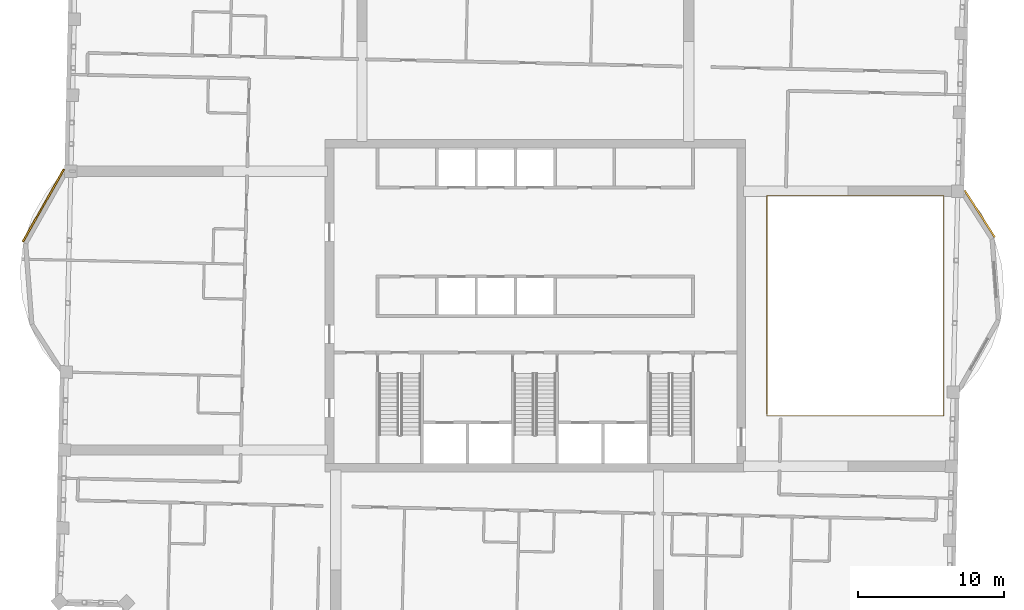
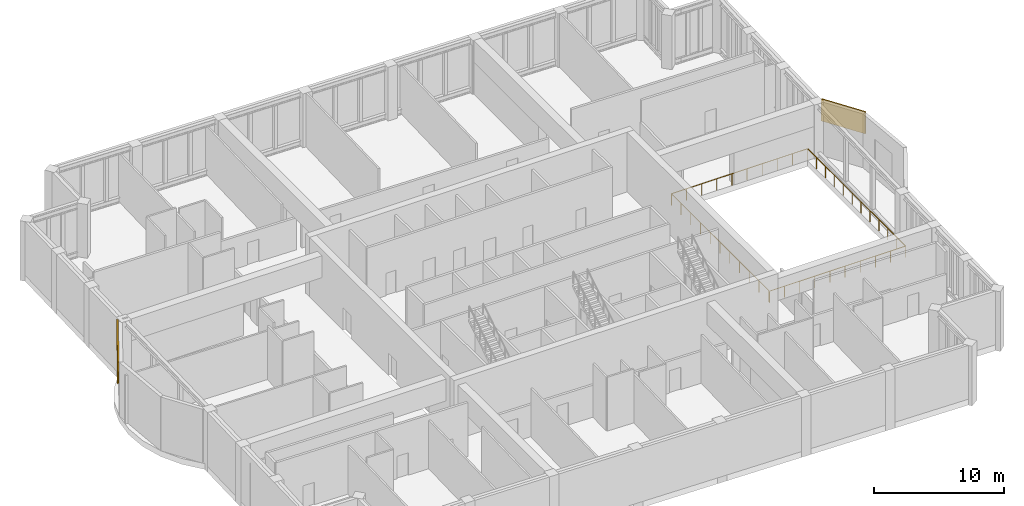
# One storey, part 16 of 16: 2 coverings, 1 railing.
"""IFC4 building model written with IfcOpenShell, lengths in metres."""

from ifc_helpers import new_model, si_unit, direction, frame, frame_2d, origin, origin_2d, place, context, subcontext, project, spatial, rectangle, extrude, material, layer, layer_set, type_object, element, save


model = new_model("IFC4")

# Units and contexts
model_context = context("Model", 3, precision=1e-05, world=origin(), true_north=direction((0.0, 1.0)))
body_context = subcontext(model_context, "Body", "Model", "MODEL_VIEW")
ifc_project = project(units=[si_unit("LENGTHUNIT", "METRE"), si_unit("AREAUNIT", "SQUARE_METRE"), si_unit("VOLUMEUNIT", "CUBIC_METRE"), si_unit("PLANEANGLEUNIT", "RADIAN"), si_unit("MASSUNIT", "GRAM", prefix="KILO")], contexts=[model_context])

# Site, building, storey
site_placement = place(None, origin())
site = spatial("IfcSite", under=ifc_project, at=site_placement, CompositionType="ELEMENT")
building_placement = place(site_placement, origin())
building = spatial("IfcBuilding", under=site, at=building_placement, Name="Mangrove Gate Tower", CompositionType="ELEMENT")
storey_placement = place(building_placement, frame((0.0, 0.0, 324.10009765625)))
storey = spatial("IfcBuildingStorey", under=building, at=storey_placement, Name="L83", CompositionType="ELEMENT", Elevation=324.10009765625)

# Railing
ifc_material_1 = material(Name="Stainless steel grade 316 with laminated glass infill", Category="steel")
railing_type = type_object("IfcRailingType", Name="Balcony guard 1100", PredefinedType="GUARDRAIL", material=ifc_material_1)
railing_placement = place(storey_placement, frame((15.860107421875, -7.5400390625, 0.0)))
element("IfcRailing", 1, at=railing_placement, inside=storey, type_object=railing_type, Name="GUARD L83 atrium", PredefinedType="GUARDRAIL", context=body_context, shape_type="SweptSolid", body=[
    extrude(rectangle(XDim=0.048095703125, YDim=0.048095703125, at=origin_2d()), frame((0.0, 0.0, 1.076171875), z_axis=(1.0, 0.0, 0.0), x_axis=(0.0, 1.0, 0.0)), (0.0, 0.0, 1.0), 12.101806640625),
    extrude(rectangle(XDim=0.048095703125, YDim=0.048095703125, at=origin_2d()), frame((12.101806640625, 0.0, 1.076171875), z_axis=(0.0, 1.0, 0.0), x_axis=(-1.0, 0.0, 0.0)), (0.0, 0.0, 1.0), 15.080078125),
    extrude(rectangle(XDim=0.048095703125, YDim=0.048095703125, at=origin_2d()), frame((12.101806640625, 15.080078125, 1.076171875), z_axis=(-1.0, 0.0, 0.0), x_axis=(0.0, -1.0, 0.0)), (0.0, 0.0, 1.0), 12.101806640625),
    extrude(rectangle(XDim=0.048095703125, YDim=0.048095703125, at=origin_2d()), frame((0.0, 15.080078125, 1.076171875), z_axis=(0.0, -1.0, 0.0), x_axis=(1.0, 0.0, 0.0)), (0.0, 0.0, 1.0), 14.9599609375),
    extrude(rectangle(XDim=0.0419921875, YDim=0.0419921875, at=origin_2d()), origin(), (0.0, 0.0, 1.0), 1.052001953125),
    extrude(rectangle(XDim=0.0419921875, YDim=0.0419921875, at=origin_2d()), frame((1.3447265625, 0.0, 0.0)), (0.0, 0.0, 1.0), 1.052001953125),
    extrude(rectangle(XDim=0.0419921875, YDim=0.0419921875, at=origin_2d()), frame((2.689208984375, 0.0, 0.0)), (0.0, 0.0, 1.0), 1.052001953125),
    extrude(rectangle(XDim=0.0419921875, YDim=0.0419921875, at=origin_2d()), frame((4.033935546875, 0.0, 0.0)), (0.0, 0.0, 1.0), 1.052001953125),
    extrude(rectangle(XDim=0.0419921875, YDim=0.0419921875, at=origin_2d()), frame((5.378662109375, 0.0, 0.0)), (0.0, 0.0, 1.0), 1.052001953125),
    extrude(rectangle(XDim=0.0419921875, YDim=0.0419921875, at=origin_2d()), frame((6.72314453125, 0.0, 0.0)), (0.0, 0.0, 1.0), 1.052001953125),
    extrude(rectangle(XDim=0.0419921875, YDim=0.0419921875, at=origin_2d()), frame((8.06787109375, 0.0, 0.0)), (0.0, 0.0, 1.0), 1.052001953125),
    extrude(rectangle(XDim=0.0419921875, YDim=0.0419921875, at=origin_2d()), frame((9.41259765625, 0.0, 0.0)), (0.0, 0.0, 1.0), 1.052001953125),
    extrude(rectangle(XDim=0.0419921875, YDim=0.0419921875, at=origin_2d()), frame((10.757080078125, 0.0, 0.0)), (0.0, 0.0, 1.0), 1.052001953125),
    extrude(rectangle(XDim=0.0419921875, YDim=0.0419921875, at=origin_2d()), frame((12.101806640625, 0.0, 0.0)), (0.0, 0.0, 1.0), 1.052001953125),
    extrude(rectangle(XDim=0.0419921875, YDim=0.0419921875, at=origin_2d()), frame((12.101806640625, 1.370849609375, 0.0)), (0.0, 0.0, 1.0), 1.052001953125),
    extrude(rectangle(XDim=0.0419921875, YDim=0.0419921875, at=origin_2d()), frame((12.101806640625, 2.741943359375, 0.0)), (0.0, 0.0, 1.0), 1.052001953125),
    extrude(rectangle(XDim=0.0419921875, YDim=0.0419921875, at=origin_2d()), frame((12.101806640625, 4.11279296875, 0.0)), (0.0, 0.0, 1.0), 1.052001953125),
    extrude(rectangle(XDim=0.0419921875, YDim=0.0419921875, at=origin_2d()), frame((12.101806640625, 5.483642578125, 0.0)), (0.0, 0.0, 1.0), 1.052001953125),
    extrude(rectangle(XDim=0.0419921875, YDim=0.0419921875, at=origin_2d()), frame((12.101806640625, 6.8544921875, 0.0)), (0.0, 0.0, 1.0), 1.052001953125),
    extrude(rectangle(XDim=0.0419921875, YDim=0.0419921875, at=origin_2d()), frame((12.101806640625, 8.2255859375, 0.0)), (0.0, 0.0, 1.0), 1.052001953125),
    extrude(rectangle(XDim=0.0419921875, YDim=0.0419921875, at=origin_2d()), frame((12.101806640625, 9.596435546875, 0.0)), (0.0, 0.0, 1.0), 1.052001953125),
    extrude(rectangle(XDim=0.0419921875, YDim=0.0419921875, at=origin_2d()), frame((12.101806640625, 10.96728515625, 0.0)), (0.0, 0.0, 1.0), 1.052001953125),
    extrude(rectangle(XDim=0.0419921875, YDim=0.0419921875, at=origin_2d()), frame((12.101806640625, 12.338134765625, 0.0)), (0.0, 0.0, 1.0), 1.052001953125),
    extrude(rectangle(XDim=0.0419921875, YDim=0.0419921875, at=origin_2d()), frame((12.101806640625, 13.709228515625, 0.0)), (0.0, 0.0, 1.0), 1.052001953125),
    extrude(rectangle(XDim=0.0419921875, YDim=0.0419921875, at=origin_2d()), frame((12.101806640625, 15.080078125, 0.0)), (0.0, 0.0, 1.0), 1.052001953125),
    extrude(rectangle(XDim=0.0419921875, YDim=0.0419921875, at=origin_2d()), frame((10.757080078125, 15.080078125, 0.0)), (0.0, 0.0, 1.0), 1.052001953125),
    extrude(rectangle(XDim=0.0419921875, YDim=0.0419921875, at=origin_2d()), frame((9.41259765625, 15.080078125, 0.0)), (0.0, 0.0, 1.0), 1.052001953125),
    extrude(rectangle(XDim=0.0419921875, YDim=0.0419921875, at=origin_2d()), frame((8.06787109375, 15.080078125, 0.0)), (0.0, 0.0, 1.0), 1.052001953125),
    extrude(rectangle(XDim=0.0419921875, YDim=0.0419921875, at=origin_2d()), frame((6.72314453125, 15.080078125, 0.0)), (0.0, 0.0, 1.0), 1.052001953125),
    extrude(rectangle(XDim=0.0419921875, YDim=0.0419921875, at=origin_2d()), frame((5.378662109375, 15.080078125, 0.0)), (0.0, 0.0, 1.0), 1.052001953125),
    extrude(rectangle(XDim=0.0419921875, YDim=0.0419921875, at=origin_2d()), frame((4.033935546875, 15.080078125, 0.0)), (0.0, 0.0, 1.0), 1.052001953125),
    extrude(rectangle(XDim=0.0419921875, YDim=0.0419921875, at=origin_2d()), frame((2.689208984375, 15.080078125, 0.0)), (0.0, 0.0, 1.0), 1.052001953125),
    extrude(rectangle(XDim=0.0419921875, YDim=0.0419921875, at=origin_2d()), frame((1.3447265625, 15.080078125, 0.0)), (0.0, 0.0, 1.0), 1.052001953125),
    extrude(rectangle(XDim=0.0419921875, YDim=0.0419921875, at=origin_2d()), frame((0.0, 15.080078125, 0.0)), (0.0, 0.0, 1.0), 1.052001953125),
    extrude(rectangle(XDim=0.0419921875, YDim=0.0419921875, at=origin_2d()), frame((0.0, 13.583984375, 0.0)), (0.0, 0.0, 1.0), 1.052001953125),
    extrude(rectangle(XDim=0.0419921875, YDim=0.0419921875, at=origin_2d()), frame((0.0, 12.088134765625, 0.0)), (0.0, 0.0, 1.0), 1.052001953125),
    extrude(rectangle(XDim=0.0419921875, YDim=0.0419921875, at=origin_2d()), frame((0.0, 10.592041015625, 0.0)), (0.0, 0.0, 1.0), 1.052001953125),
    extrude(rectangle(XDim=0.0419921875, YDim=0.0419921875, at=origin_2d()), frame((0.0, 9.09619140625, 0.0)), (0.0, 0.0, 1.0), 1.052001953125),
    extrude(rectangle(XDim=0.0419921875, YDim=0.0419921875, at=origin_2d()), frame((0.0, 7.60009765625, 0.0)), (0.0, 0.0, 1.0), 1.052001953125),
    extrude(rectangle(XDim=0.0419921875, YDim=0.0419921875, at=origin_2d()), frame((0.0, 6.10400390625, 0.0)), (0.0, 0.0, 1.0), 1.052001953125),
    extrude(rectangle(XDim=0.0419921875, YDim=0.0419921875, at=origin_2d()), frame((0.0, 4.608154296875, 0.0)), (0.0, 0.0, 1.0), 1.052001953125),
    extrude(rectangle(XDim=0.0419921875, YDim=0.0419921875, at=origin_2d()), frame((0.0, 3.112060546875, 0.0)), (0.0, 0.0, 1.0), 1.052001953125),
    extrude(rectangle(XDim=0.0419921875, YDim=0.0419921875, at=origin_2d()), frame((0.0, 1.6162109375, 0.0)), (0.0, 0.0, 1.0), 1.052001953125),
    extrude(rectangle(XDim=0.0419921875, YDim=0.0419921875, at=origin_2d()), frame((0.0, 0.1201171875, 0.0)), (0.0, 0.0, 1.0), 1.052001953125),
])

# Coverings
ifc_material_2 = material(Name="Limestone", Category="masonry")
ifc_layer_1 = layer(ifc_material_2, 0.0400390625, Name="Limestone cladding")
ifc_material_3 = material(Name="Stainless steel anchors and cavity", Category="steel")
ifc_layer_2 = layer(ifc_material_3, 0.080078125, Name="Fixing cavity")
ifc_layer_set = layer_set([ifc_layer_1, ifc_layer_2], Name="Joint fascia cladding 120")
covering_type = type_object("IfcCoveringType", Name="Joint fascia cladding 120", PredefinedType="CLADDING", material=ifc_layer_set)
covering_1_placement = place(storey_placement, frame((31.4580078125, 4.69091796875, 3.0), z_axis=(0.0, 0.0, 1.0), x_axis=(-0.540573367362, 0.841296876554, 0.0)))
element("IfcCovering", 2, at=covering_1_placement, inside=storey, type_object=covering_type, Name="STONE FASCIA L83 E1.L1", PredefinedType="CLADDING", context=body_context, shape_type="SweptSolid", body=[
    extrude(rectangle(XDim=3.818115234375, YDim=0.1201171875, at=frame_2d((1.9091796875, 0.0))), origin(), (0.0, 0.0, 1.0), 2.0498046875),
])
covering_2_placement = place(storey_placement, frame((-32.28369140625, 9.346435546875, 3.0), z_axis=(0.0, 0.0, 1.0), x_axis=(-0.492580480627, -0.870266895903, 0.0)))
element("IfcCovering", 3, at=covering_2_placement, inside=storey, type_object=covering_type, Name="STONE FASCIA L83 W9.L1", PredefinedType="CLADDING", context=body_context, shape_type="SweptSolid", body=[
    extrude(rectangle(XDim=5.703369140625, YDim=0.1201171875, at=frame_2d((2.8515625, 0.0))), origin(), (0.0, 0.0, 1.0), 2.0498046875),
])

save(model, "model.ifc")
